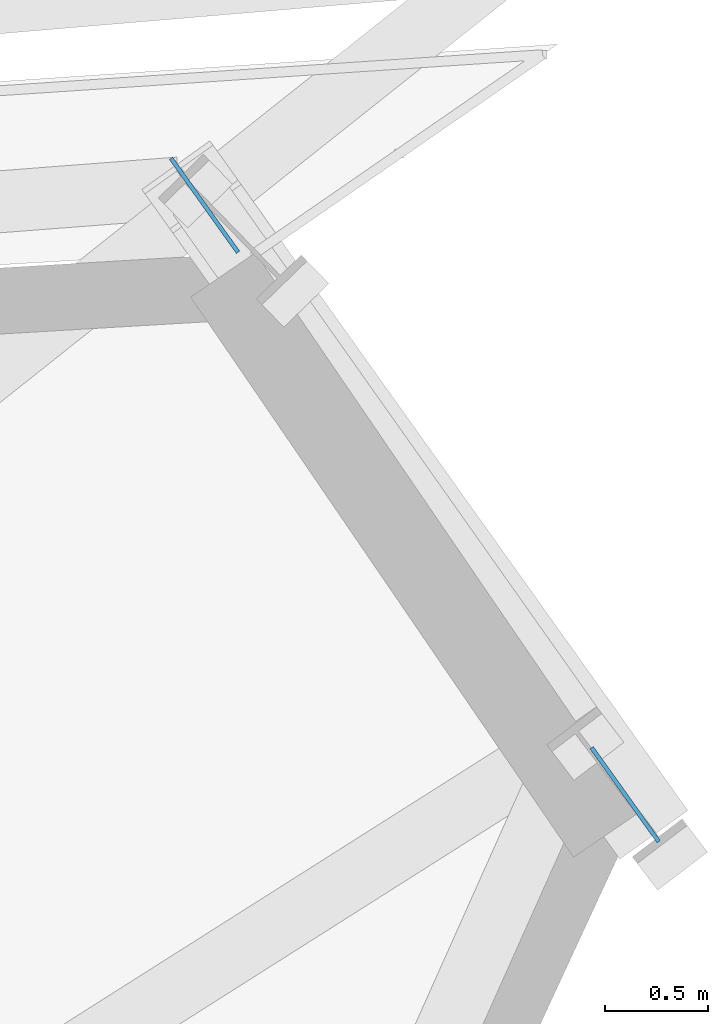
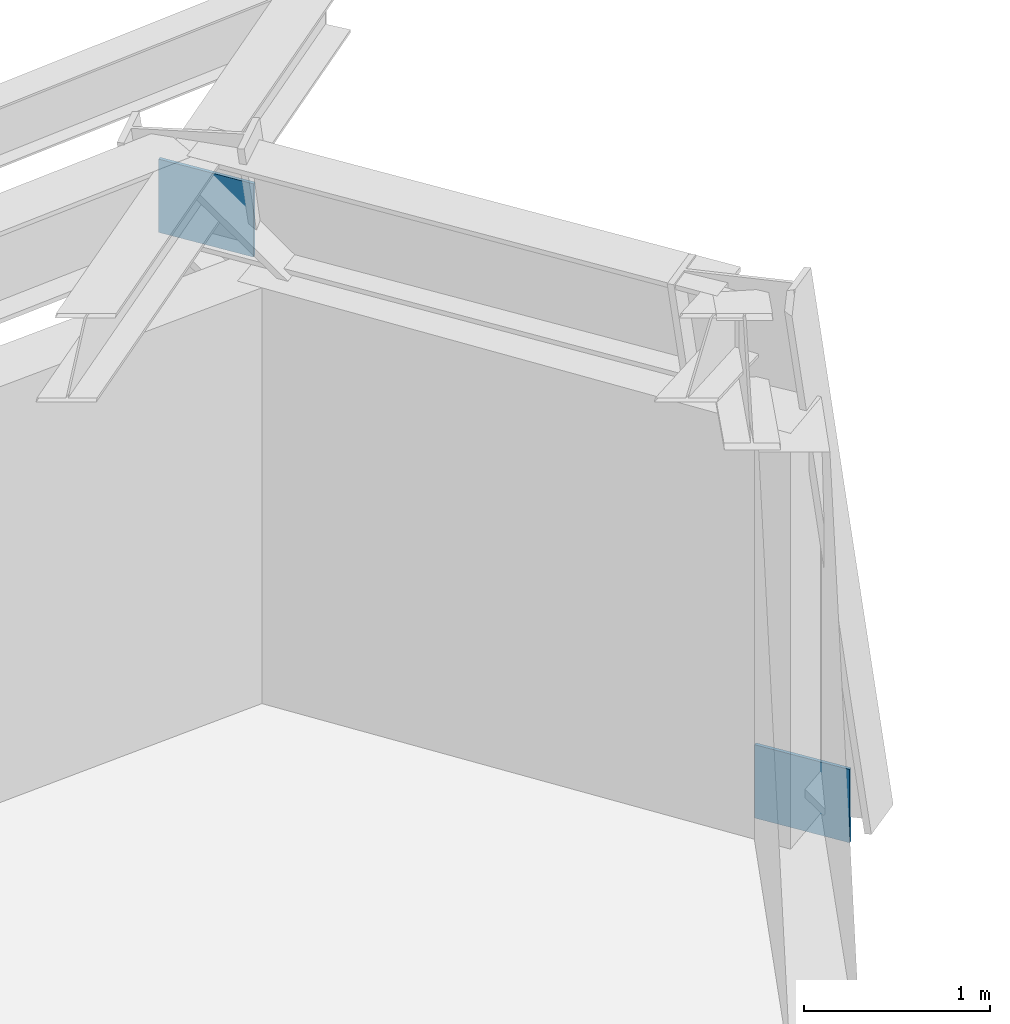
# One storey, part 7 of 13: 2 plates.
"""IFC4 building model written with IfcOpenShell, lengths in metres."""

from ifc_helpers import new_model, si_unit, direction, frame, origin, origin_2d, place, context, subcontext, project, spatial, rectangle, extrude, source, transform, mapped, material, type_object, element, save


model = new_model("IFC4")

# Units and contexts
model_context = context("Model", 3, precision=1e-05, world=origin(), true_north=direction((0.0, 1.0)))
body_context = subcontext(model_context, "Body", "Model", "MODEL_VIEW")
ifc_project = project(units=[si_unit("LENGTHUNIT", "METRE"), si_unit("AREAUNIT", "SQUARE_METRE"), si_unit("VOLUMEUNIT", "CUBIC_METRE"), si_unit("PLANEANGLEUNIT", "RADIAN"), si_unit("MASSUNIT", "GRAM", prefix="KILO")], contexts=[model_context])

# Site, building, storey
site_placement = place(None, origin())
site = spatial("IfcSite", under=ifc_project, at=site_placement, CompositionType="ELEMENT")
building_placement = place(site_placement, origin())
building = spatial("IfcBuilding", under=site, at=building_placement, Name="Olszyna Solenne Hotel", CompositionType="ELEMENT")
storey_placement = place(building_placement, frame((0.0, 0.0, 175.0)))
storey = spatial("IfcBuildingStorey", under=building, at=storey_placement, Name="L46", CompositionType="ELEMENT", Elevation=175.0)

# Plates
ifc_material = material(Name="Steel S355J2", Category="steel")
plate_type = type_object("IfcPlateType", Name="GP-ND2", PredefinedType="USERDEFINED", material=ifc_material)
shared_shape = source(origin(), body_context, "Body", "SweptSolid", [
    extrude(rectangle(XDim=0.56005859375, YDim=0.02001953125, at=origin_2d()), origin(), (0.0, 0.0, 1.0), 0.47998046875),
])
for number, where, z_axis, x_axis, name in (
    (1, (62.901611328125, 41.94677734375, -0.142333984375), (0.0, 0.0, 1.0), (-0.580987100252, 0.813912765191, 0.0), "Brace end connection gusset plate GP-ND2 EP-BR-L46-1-1"),
    (2, (60.861572265625, 44.80517578125, 2.67236328125), (0.0, 0.0, 1.0), (-0.580987100252, 0.813912765191, 0.0), "Brace end connection gusset plate GP-ND2 EP-BR-L46-1-2"),
):
    element("IfcPlate", number, at=place(storey_placement, frame(where, z_axis=z_axis, x_axis=x_axis)), inside=storey, type_object=plate_type, Name=name, ObjectType="GUSSET_PLATE", PredefinedType="USERDEFINED", context=body_context, shape_type="MappedRepresentation", body=[
        mapped(shared_shape, transform((0.0, 0.0, 0.0), x_axis=(1.0, 0.0, 0.0), y_axis=(0.0, 1.0, 0.0), z_axis=(0.0, 0.0, 1.0), scale=1.0)),
    ])

save(model, "model.ifc")
